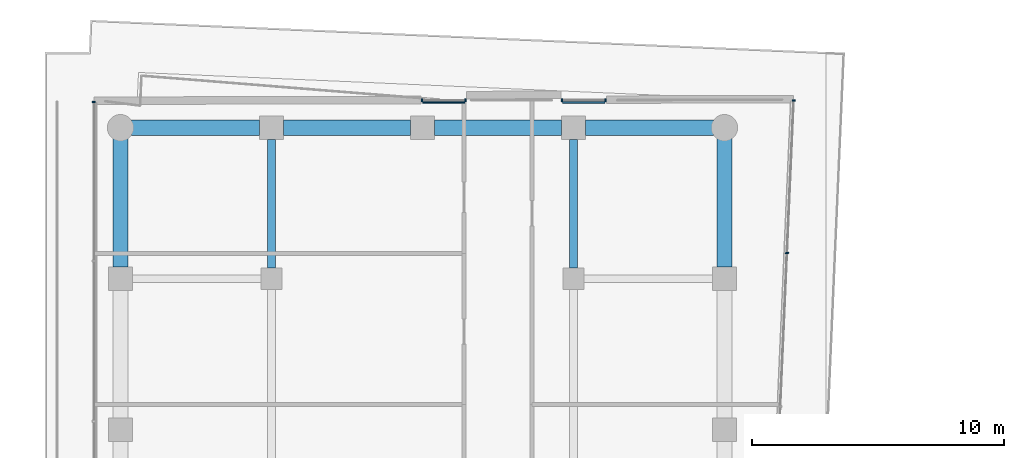
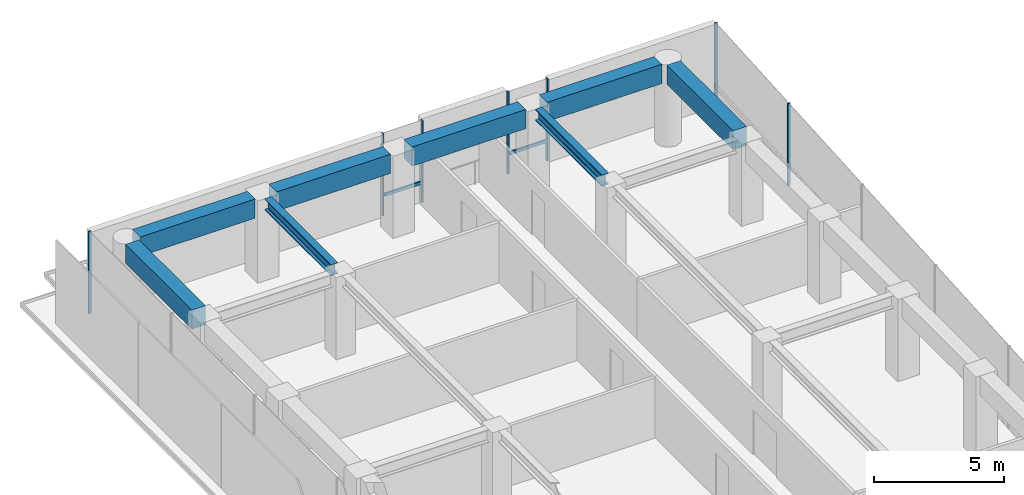
# One storey, part 21 of 29: 9 members, 8 beams, 4 elements without a shape of their own.
"""IFC4 building model written with IfcOpenShell, lengths in metres."""

import ifcopenshell
import ifcopenshell.guid

model = None  # the IFC model being written
_history = None  # IfcOwnerHistory: only IFC2X3 demands one
_inside = {}  # id of a spatial element -> (the spatial element, [elements in it])
_under = {}  # id of a project, library or spatial element -> (it, [spatial elements below it])
_declared = {}  # id of a project -> (the project, [libraries it declares])
_typed = {}  # id of a type object -> (the type object, [elements of that type])
_made_of = {}  # id of a material, layer set ... -> (it, [elements and type objects made of it])


def new_model(schema):
    """Start an empty IFC model of exactly this schema.

    Asked for "IFC4X3", IfcOpenShell would pick the latest addendum, in which some entities
    have other attributes; the version numbers below select the first issue.
    IFC2X3 requires an IfcOwnerHistory on every rooted entity: one is made here for all.
    """
    global model, _history
    if schema == "IFC4X3":
        model = ifcopenshell.file(schema_version=(4, 3, 0, 0))
    else:
        model = ifcopenshell.file(schema=schema)
    _inside.clear()
    _under.clear()
    _declared.clear()
    _typed.clear()
    _made_of.clear()
    _history = None
    if model.schema == "IFC2X3":
        org = make("IfcOrganization", Name="unknown")
        user = make(
            "IfcPersonAndOrganization",
            ThePerson=make("IfcPerson", FamilyName="unknown"),
            TheOrganization=org,
        )
        app = make(
            "IfcApplication",
            ApplicationDeveloper=org,
            Version="unknown",
            ApplicationFullName="unknown",
            ApplicationIdentifier="unknown",
        )
        _history = make(
            "IfcOwnerHistory",
            OwningUser=user,
            OwningApplication=app,
            ChangeAction="ADDED",
            CreationDate=0,
        )
    return model


def make(cls, **values):
    """One entity of the class cls with the attributes given. An attribute that is None is left unset."""
    return model.create_entity(
        cls, **{name: value for name, value in values.items() if value is not None}
    )


def rooted(cls, **values):
    """An entity with a GlobalId (a new one), such as an element, a storey or a relation."""
    return make(cls, GlobalId=ifcopenshell.guid.new(), OwnerHistory=_history, **values)


def si_unit(unit_type, name, prefix=None):
    """IfcSIUnit, for example si_unit("LENGTHUNIT", "METRE", prefix="MILLI")."""
    return make("IfcSIUnit", UnitType=unit_type, Prefix=prefix, Name=name)


def assignment(units):
    """IfcUnitAssignment: the units of a project."""
    return None if units is None else make("IfcUnitAssignment", Units=units)


def point(xyz):
    """IfcCartesianPoint."""
    return None if xyz is None else make("IfcCartesianPoint", Coordinates=xyz)


def direction(xyz):
    """IfcDirection."""
    return None if xyz is None else make("IfcDirection", DirectionRatios=xyz)


def frame(location, z_axis=None, x_axis=None):
    """IfcAxis2Placement3D, a coordinate frame: its origin and axes. An axis left out is left unset."""
    return make(
        "IfcAxis2Placement3D",
        Location=point(location),
        Axis=direction(z_axis),
        RefDirection=direction(x_axis),
    )


def frame_2d(location, x_axis=None):
    """IfcAxis2Placement2D, a coordinate frame in the plane: its origin and x axis."""
    return make(
        "IfcAxis2Placement2D", Location=point(location), RefDirection=direction(x_axis)
    )


def origin():
    """The frame at (0, 0, 0) with its axes left unset."""
    return frame((0.0, 0.0, 0.0))


def origin_2d():
    """The frame at (0, 0) in the plane with its x axis left unset."""
    return frame_2d((0.0, 0.0))


def place(relative_to, where):
    """IfcLocalPlacement: puts the frame where relative to a parent placement (None: the world)."""
    return make(
        "IfcLocalPlacement", PlacementRelTo=relative_to, RelativePlacement=where
    )


def context(
    kind, dimensions, precision=None, world=None, true_north=None, identifier=None
):
    """IfcGeometricRepresentationContext, for example the 3D "Model" context."""
    return make(
        "IfcGeometricRepresentationContext",
        ContextIdentifier=identifier,
        ContextType=kind,
        CoordinateSpaceDimension=dimensions,
        Precision=precision,
        WorldCoordinateSystem=world,
        TrueNorth=true_north,
    )


def subcontext(parent, identifier, kind, view, scale=None):
    """IfcGeometricRepresentationSubContext, for example "Body" below "Model"."""
    return make(
        "IfcGeometricRepresentationSubContext",
        ContextIdentifier=identifier,
        ContextType=kind,
        ParentContext=parent,
        TargetScale=scale,
        TargetView=view,
    )


def project(units=None, contexts=None):
    """IfcProject with its units and contexts."""
    return rooted(
        "IfcProject",
        Name="project",
        RepresentationContexts=contexts,
        UnitsInContext=assignment(units),
    )


def spatial(cls, under=None, at=None, **own):
    """A site, building, storey or space (cls), placed at a placement, below another one or the project."""
    s = rooted(cls, ObjectPlacement=at, **own)
    if under is not None:
        _under.setdefault(under.id(), (under, []))[1].append(s)
    return s


def profile(cls, at=None, kind="AREA", **sizes):
    """A parametric profile (cls). Its sizes go by their IFC names, for example OverallWidth=200.0."""
    return make(cls, ProfileType=kind, Position=at, **sizes)


def rectangle(**sizes):
    """IfcRectangleProfileDef."""
    return profile("IfcRectangleProfileDef", **sizes)


def i_section(**sizes):
    """IfcIShapeProfileDef."""
    return profile("IfcIShapeProfileDef", **sizes)


def extrude(swept, where, along, depth):
    """IfcExtrudedAreaSolid: the profile swept, set in the frame where, extruded along a direction by depth."""
    return make(
        "IfcExtrudedAreaSolid",
        SweptArea=swept,
        Position=where,
        ExtrudedDirection=direction(along),
        Depth=depth,
    )


def shape(context_of_items, identifier, shape_type, items):
    """IfcShapeRepresentation: the items that make up one representation, for example the "Body"."""
    return make(
        "IfcShapeRepresentation",
        ContextOfItems=context_of_items,
        RepresentationIdentifier=identifier,
        RepresentationType=shape_type,
        Items=items,
    )


def material(Name=None, Category=None):
    """IfcMaterial."""
    return make("IfcMaterial", Name=Name, Category=Category)


def layer(
    of_material, thickness, ventilated=None, Name=None, Category=None, Priority=None
):
    """IfcMaterialLayer: one layer of a wall or slab, of a material (None: an air gap)."""
    return make(
        "IfcMaterialLayer",
        Material=of_material,
        LayerThickness=thickness,
        IsVentilated=ventilated,
        Name=Name,
        Category=Category,
        Priority=Priority,
    )


def layer_set(layers, Name=None):
    """IfcMaterialLayerSet."""
    return make("IfcMaterialLayerSet", MaterialLayers=layers, LayerSetName=Name)


def material_profile(
    of_material, cross_section, Name=None, Category=None, Priority=None
):
    """IfcMaterialProfile: a cross section and its material."""
    return make(
        "IfcMaterialProfile",
        Name=Name,
        Material=of_material,
        Profile=cross_section,
        Priority=Priority,
        Category=Category,
    )


def profile_set(profiles, Name=None, composite=None):
    """IfcMaterialProfileSet."""
    return make(
        "IfcMaterialProfileSet",
        Name=Name,
        MaterialProfiles=profiles,
        CompositeProfile=composite,
    )


def made_of(thing, what):
    """Note that an element or type object is made of a material, layer set ...; save() writes the relation."""
    if what is not None:
        _made_of.setdefault(what.id(), (what, []))[1].append(thing)
    return thing


def type_object(cls, material=None, **own):
    """A type object (cls), such as IfcWallType, which elements share."""
    return made_of(rooted(cls, **own), material)


def element(
    cls,
    number,
    at=None,
    inside=None,
    cuts=None,
    type_object=None,
    material=None,
    context=None,
    identifier="Body",
    shape_type=None,
    held_by="IfcProductDefinitionShape",
    body=None,
    shapes=None,
    **own,
):
    """One element of the class cls, such as IfcWall. Its Tag is "e" and its number.

    at: its placement. inside: the storey or other place that contains it. cuts: it is an
    opening in that element (IfcRelVoidsElement). A single representation is given by context,
    identifier, shape_type and body (its items); several are given by shapes. held_by: the class
    of the entity that holds the representations. save() writes the other relations.
    """
    e = rooted(cls, Tag="e%d" % number, ObjectPlacement=at, **own)
    if body is not None:
        shapes = [shape(context, identifier, shape_type, body)]
    if shapes is not None:
        e.Representation = make(held_by, Representations=shapes)
    if inside is not None:
        _inside.setdefault(inside.id(), (inside, []))[1].append(e)
    if cuts is not None:
        rooted(
            "IfcRelVoidsElement", RelatingBuildingElement=cuts, RelatedOpeningElement=e
        )
    if type_object is not None:
        _typed.setdefault(type_object.id(), (type_object, []))[1].append(e)
    return made_of(e, material)


def aggregate(whole, parts):
    """IfcRelAggregates: a whole, such as a stair, and the parts it consists of."""
    return rooted("IfcRelAggregates", RelatingObject=whole, RelatedObjects=parts)


def save(model, path):
    """Write the relations noted so far, then the file.

    IfcRelAggregates (storeys below a building ...), IfcRelContainedInSpatialStructure (elements
    in a storey), IfcRelDefinesByType, IfcRelAssociatesMaterial and IfcRelDeclares: one each for
    every whole, place, type object, material and project.
    """
    for whole, parts in _under.values():
        aggregate(whole, parts)
    for where, things in _inside.values():
        rooted(
            "IfcRelContainedInSpatialStructure",
            RelatedElements=things,
            RelatingStructure=where,
        )
    for kind, things in _typed.values():
        rooted("IfcRelDefinesByType", RelatedObjects=things, RelatingType=kind)
    for what, things in _made_of.values():
        rooted("IfcRelAssociatesMaterial", RelatedObjects=things, RelatingMaterial=what)
    for by, libraries in _declared.values():
        rooted("IfcRelDeclares", RelatingContext=by, RelatedDefinitions=libraries)
    model.write(path)


model = new_model("IFC4")

# Units and contexts
model_context = context("Model", 3, precision=1e-05, world=origin(), true_north=direction((0.0, 1.0)))
body_context = subcontext(model_context, "Body", "Model", "MODEL_VIEW")
ifc_project = project(units=[si_unit("LENGTHUNIT", "METRE"), si_unit("AREAUNIT", "SQUARE_METRE"), si_unit("VOLUMEUNIT", "CUBIC_METRE"), si_unit("PLANEANGLEUNIT", "RADIAN"), si_unit("MASSUNIT", "GRAM", prefix="KILO")], contexts=[model_context])

# Site, building, storey
site_placement = place(None, origin())
site = spatial("IfcSite", under=ifc_project, at=site_placement, CompositionType="ELEMENT")
building_placement = place(site_placement, origin())
building = spatial("IfcBuilding", under=site, at=building_placement, Name="Welwitschia Terrace Campus", CompositionType="ELEMENT")
storey_placement = place(building_placement, frame((0.0, 0.0, 41.60009765625)))
storey = spatial("IfcBuildingStorey", under=building, at=storey_placement, Name="L09", CompositionType="ELEMENT", Elevation=41.60009765625)

# Beams
ifc_material_1 = material(Name="Steel S355", Category="steel")
ifc_material_profile_1 = material_profile(ifc_material_1, i_section(OverallWidth=0.305908203125, OverallDepth=0.52392578125, WebThickness=0.02099609375, FlangeThickness=0.0400390625, FilletRadius=0.027099609375, at=origin_2d()))
ifc_profile_set_1 = profile_set([ifc_material_profile_1], Name="Steel S355")
beam_type_1 = type_object("IfcBeamType", Name="Interior girder HE 500 M", PredefinedType="BEAM", material=ifc_profile_set_1)
for number, where, z_axis, x_axis, name in (
    (1, (6.0, 56.425537109375, 3.587890625), (0.0, 1.0, 0.0), (-1.0, 0.0, 0.0), "Girder GB2"),
    (2, (18.0, 56.425537109375, 3.587890625), (0.0, 1.0, 0.0), (-1.0, 0.0, 0.0), "Girder GB2"),
):
    element("IfcBeam", number, at=place(storey_placement, frame(where, z_axis=z_axis, x_axis=x_axis)), inside=storey, type_object=beam_type_1, Name=name, PredefinedType="BEAM", context=body_context, shape_type="SweptSolid", body=[
        extrude(i_section(OverallWidth=0.305908203125, OverallDepth=0.52392578125, WebThickness=0.02099609375, FlangeThickness=0.0400390625, FilletRadius=0.027099609375, at=origin_2d()), origin(), (0.0, 0.0, 1.0), 5.10888671875),
    ])

# Curtain wall, members
ifc_material_2 = material(Name="Bronze anodised aluminium", Category="aluminium")
ifc_layer = layer(ifc_material_2, 0.1201171875)
ifc_layer_set = layer_set([ifc_layer], Name="Bronze anodised aluminium")
curtain_wall_type = type_object("IfcCurtainWallType", Name="Curtain wall CW2 tower 6000", PredefinedType="NOTDEFINED", material=ifc_layer_set)
curtain_wall_1_placement = place(storey_placement, origin())
curtain_wall_1 = element("IfcCurtainWall", 3, at=curtain_wall_1_placement, inside=storey, type_object=curtain_wall_type, Name="CW L09.11.0", PredefinedType="NOTDEFINED")
ifc_material_3 = material(Name="Bronze anodised aluminium", Category="aluminium")
ifc_material_profile_2 = material_profile(ifc_material_3, rectangle(XDim=0.1201171875, YDim=0.06005859375, at=origin_2d()))
ifc_profile_set_2 = profile_set([ifc_material_profile_2], Name="Bronze anodised aluminium")
member_type_1 = type_object("IfcMemberType", Name="Mullion 60x120", PredefinedType="MULLION", material=ifc_profile_set_2)
member_1_placement = place(storey_placement, frame((26.485107421875, 57.02001953125, 0.0), z_axis=(0.0, 0.0, 1.0), x_axis=(-0.999048221582, 0.043619387365, 0.0)))
member_1 = element("IfcMember", 4, at=member_1_placement, type_object=member_type_1, Name="Mullion L09.11.0.5", PredefinedType="MULLION", context=body_context, shape_type="SweptSolid", body=[
    extrude(rectangle(XDim=0.1201171875, YDim=0.06005859375, at=origin_2d()), origin(), (0.0, 0.0, 1.0), 3.849853515625),
])
member_2_placement = place(storey_placement, frame((26.75, 63.087646484375, 0.0), z_axis=(0.0, 0.0, 1.0), x_axis=(-0.999048221582, 0.043619387365, 0.0)))
member_2 = element("IfcMember", 5, at=member_2_placement, type_object=member_type_1, Name="Mullion L09.11.0.6", PredefinedType="MULLION", context=body_context, shape_type="SweptSolid", body=[
    extrude(rectangle(XDim=0.1201171875, YDim=0.06005859375, at=origin_2d()), origin(), (0.0, 0.0, 1.0), 3.849853515625),
])
aggregate(curtain_wall_1, [member_1, member_2])

curtain_wall_2_placement = place(storey_placement, origin())
curtain_wall_2 = element("IfcCurtainWall", 6, at=curtain_wall_2_placement, inside=storey, type_object=curtain_wall_type, Name="CW L09.12.S0", PredefinedType="NOTDEFINED")
member_3_placement = place(storey_placement, frame((19.278564453125, 63.1005859375, 0.0), z_axis=(0.0, 0.0, 1.0), x_axis=(0.002276563587, -0.999997408626, 0.0)))
member_3 = element("IfcMember", 7, at=member_3_placement, type_object=member_type_1, Name="Mullion L09.12.S0.0", PredefinedType="MULLION", context=body_context, shape_type="SweptSolid", body=[
    extrude(rectangle(XDim=0.1201171875, YDim=0.06005859375, at=origin_2d()), origin(), (0.0, 0.0, 1.0), 3.849853515625),
])
member_4_placement = place(storey_placement, frame((17.53857421875, 63.096435546875, 0.0), z_axis=(0.0, 0.0, 1.0), x_axis=(0.002276563587, -0.999997408626, 0.0)))
member_4 = element("IfcMember", 8, at=member_4_placement, type_object=member_type_1, Name="Mullion L09.12.S0.1", PredefinedType="MULLION", context=body_context, shape_type="SweptSolid", body=[
    extrude(rectangle(XDim=0.1201171875, YDim=0.06005859375, at=origin_2d()), origin(), (0.0, 0.0, 1.0), 3.849853515625),
])

curtain_wall_3_placement = place(storey_placement, origin())
curtain_wall_3 = element("IfcCurtainWall", 9, at=curtain_wall_3_placement, inside=storey, type_object=curtain_wall_type, Name="CW L09.12.S1", PredefinedType="NOTDEFINED")
member_5_placement = place(storey_placement, frame((13.716552734375, 63.087890625, 0.0), z_axis=(0.0, 0.0, 1.0), x_axis=(0.002276563587, -0.999997408626, 0.0)))
member_5 = element("IfcMember", 10, at=member_5_placement, type_object=member_type_1, Name="Mullion L09.12.S1.0", PredefinedType="MULLION", context=body_context, shape_type="SweptSolid", body=[
    extrude(rectangle(XDim=0.1201171875, YDim=0.06005859375, at=origin_2d()), origin(), (0.0, 0.0, 1.0), 3.849853515625),
])
member_6_placement = place(storey_placement, frame((11.9765625, 63.083984375, 0.0), z_axis=(0.0, 0.0, 1.0), x_axis=(0.002276563587, -0.999997408626, 0.0)))
member_6 = element("IfcMember", 11, at=member_6_placement, type_object=member_type_1, Name="Mullion L09.12.S1.1", PredefinedType="MULLION", context=body_context, shape_type="SweptSolid", body=[
    extrude(rectangle(XDim=0.1201171875, YDim=0.06005859375, at=origin_2d()), origin(), (0.0, 0.0, 1.0), 3.849853515625),
])

# Curtain wall, member
curtain_wall_4_placement = place(storey_placement, origin())
curtain_wall_4 = element("IfcCurtainWall", 12, at=curtain_wall_4_placement, inside=storey, type_object=curtain_wall_type, Name="CW L09.13.0", PredefinedType="NOTDEFINED")
member_7_placement = place(storey_placement, frame((-1.05810546875, 63.024169921875, 0.0), z_axis=(0.0, 0.0, 1.0), x_axis=(1.0, 0.0, 0.0)))
member_7 = element("IfcMember", 13, at=member_7_placement, type_object=member_type_1, Name="Mullion L09.13.0.0", PredefinedType="MULLION", context=body_context, shape_type="SweptSolid", body=[
    extrude(rectangle(XDim=0.1201171875, YDim=0.06005859375, at=origin_2d()), origin(), (0.0, 0.0, 1.0), 3.849853515625),
])
aggregate(curtain_wall_4, [member_7])

# Beams
ifc_material_4 = material(Name="Concrete C60/75", Category="concrete")
ifc_material_profile_3 = material_profile(ifc_material_4, rectangle(XDim=0.60009765625, YDim=0.89990234375, at=origin_2d()))
ifc_profile_set_3 = profile_set([ifc_material_profile_3], Name="Concrete C60/75")
beam_type_2 = type_object("IfcBeamType", Name="Ring spandrel 600x900", PredefinedType="SPANDREL", material=ifc_profile_set_3)
for number, where, z_axis, x_axis, name in (
    (14, (24.0, 56.4755859375, 3.39990234375), (0.0, 1.0, 0.0), (-1.0, 0.0, 0.0), "Spandrel SP2"),
    (15, (23.568603515625, 62.0, 3.39990234375), (-1.0, 0.0, 0.0), (0.0, -1.0, 0.0), "Spandrel SP2"),
):
    element("IfcBeam", number, at=place(storey_placement, frame(where, z_axis=z_axis, x_axis=x_axis)), inside=storey, type_object=beam_type_2, Name=name, PredefinedType="SPANDREL", context=body_context, shape_type="SweptSolid", body=[
        extrude(rectangle(XDim=0.60009765625, YDim=0.89990234375, at=origin_2d()), origin(), (0.0, 0.0, 1.0), 5.093017578125),
    ])
for number, where, z_axis, x_axis, name in (
    (16, (17.5244140625, 62.0, 3.39990234375), (-1.0, 0.0, 0.0), (0.0, -1.0, 0.0), "Spandrel SP2"),
    (17, (11.5244140625, 62.0, 3.39990234375), (-1.0, 0.0, 0.0), (0.0, -1.0, 0.0), "Spandrel SP2"),
):
    element("IfcBeam", number, at=place(storey_placement, frame(where, z_axis=z_axis, x_axis=x_axis)), inside=storey, type_object=beam_type_2, Name=name, PredefinedType="SPANDREL", context=body_context, shape_type="SweptSolid", body=[
        extrude(rectangle(XDim=0.60009765625, YDim=0.89990234375, at=origin_2d()), origin(), (0.0, 0.0, 1.0), 5.048828125),
    ])
for number, where, z_axis, x_axis, name in (
    (18, (5.5244140625, 62.0, 3.39990234375), (-1.0, 0.0, 0.0), (0.0, -1.0, 0.0), "Spandrel SP2"),
    (19, (0.0, 61.568603515625, 3.39990234375), (0.0, -1.0, 0.0), (1.0, 0.0, 0.0), "Spandrel SP2"),
):
    element("IfcBeam", number, at=place(storey_placement, frame(where, z_axis=z_axis, x_axis=x_axis)), inside=storey, type_object=beam_type_2, Name=name, PredefinedType="SPANDREL", context=body_context, shape_type="SweptSolid", body=[
        extrude(rectangle(XDim=0.60009765625, YDim=0.89990234375, at=origin_2d()), origin(), (0.0, 0.0, 1.0), 5.093017578125),
    ])

# Member
ifc_material_5 = material(Name="Bronze anodised aluminium", Category="aluminium")
ifc_material_profile_4 = material_profile(ifc_material_5, rectangle(XDim=0.06005859375, YDim=0.14990234375, at=origin_2d()))
ifc_profile_set_4 = profile_set([ifc_material_profile_4], Name="Bronze anodised aluminium")
member_type_2 = type_object("IfcMemberType", Name="Transom 60x150", PredefinedType="USERDEFINED", material=ifc_profile_set_4)
member_8_placement = place(storey_placement, frame((19.248779296875, 63.010498046875, 1.0), z_axis=(-0.999997296632, -0.002325237138, 0.0), x_axis=(0.002325237138, -0.999997296632, 0.0)))
member_8 = element("IfcMember", 20, at=member_8_placement, type_object=member_type_2, Name="Transom L09.12.S0", ObjectType="TRANSOM", PredefinedType="USERDEFINED", context=body_context, shape_type="SweptSolid", body=[
    extrude(rectangle(XDim=0.06005859375, YDim=0.14990234375, at=origin_2d()), origin(), (0.0, 0.0, 1.0), 1.679931640625),
])

aggregate(curtain_wall_2, [member_3, member_4, member_8])

member_9_placement = place(storey_placement, frame((13.686767578125, 62.997802734375, 1.0), z_axis=(-0.999997296632, -0.002325237138, 0.0), x_axis=(0.002325237138, -0.999997296632, 0.0)))
member_9 = element("IfcMember", 21, at=member_9_placement, type_object=member_type_2, Name="Transom L09.12.S1", ObjectType="TRANSOM", PredefinedType="USERDEFINED", context=body_context, shape_type="SweptSolid", body=[
    extrude(rectangle(XDim=0.06005859375, YDim=0.14990234375, at=origin_2d()), origin(), (0.0, 0.0, 1.0), 1.679931640625),
])

aggregate(curtain_wall_3, [member_5, member_6, member_9])

save(model, "model.ifc")
